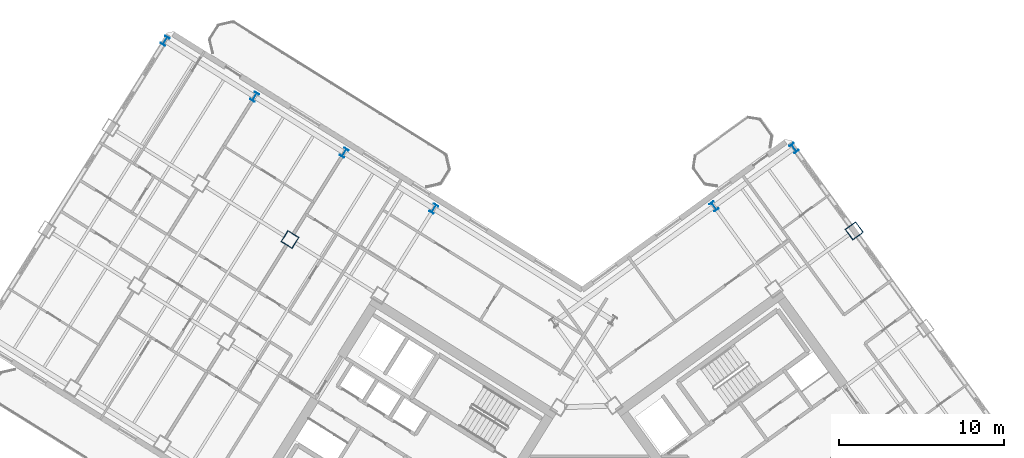
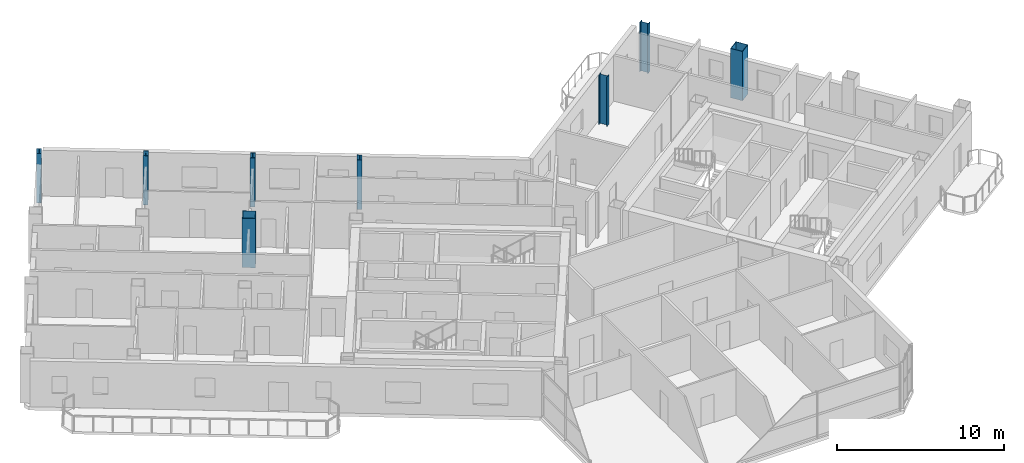
# One storey, part 3 of 20: 8 columns.
"""IFC4 building model written with IfcOpenShell, lengths in metres."""

from ifc_helpers import new_model, si_unit, direction, frame, origin, origin_2d, place, context, subcontext, project, spatial, hollow_rectangle, i_section, extrude, source, transform, mapped, material, material_profile, profile_set, type_object, element, save


model = new_model("IFC4")

# Units and contexts
model_context = context("Model", 3, precision=1e-05, world=origin(), true_north=direction((0.0, 1.0)))
body_context = subcontext(model_context, "Body", "Model", "MODEL_VIEW")
ifc_project = project(units=[si_unit("LENGTHUNIT", "METRE"), si_unit("AREAUNIT", "SQUARE_METRE"), si_unit("VOLUMEUNIT", "CUBIC_METRE"), si_unit("PLANEANGLEUNIT", "RADIAN"), si_unit("MASSUNIT", "GRAM", prefix="KILO")], contexts=[model_context])

# Site, building, storey
site_placement = place(None, origin())
site = spatial("IfcSite", under=ifc_project, at=site_placement, CompositionType="ELEMENT")
building_placement = place(site_placement, origin())
building = spatial("IfcBuilding", under=site, at=building_placement, Name="Tlacorven Tower", CompositionType="ELEMENT")
storey_placement = place(building_placement, frame((0.0, 0.0, 187.800048828125)))
storey = spatial("IfcBuildingStorey", under=building, at=storey_placement, Name="L47", CompositionType="ELEMENT", Elevation=187.800048828125)

# Columns
ifc_material = material(Name="Steel S460M", Category="steel")
ifc_material_profile_1 = material_profile(ifc_material, i_section(OverallWidth=0.300048828125, OverallDepth=0.550048828125, WebThickness=0.014892578125, FlangeThickness=0.029052734375, at=origin_2d()), Name="HEB 550")
ifc_profile_set_1 = profile_set([ifc_material_profile_1], Name="Steel S460M")
column_type_1 = type_object("IfcColumnType", Name="COL-TWR-P2", PredefinedType="COLUMN", material=ifc_profile_set_1)
shared_shape_1 = source(origin(), body_context, "Body", "SweptSolid", [
    extrude(i_section(OverallWidth=0.300048828125, OverallDepth=0.550048828125, WebThickness=0.014892578125, FlangeThickness=0.029052734375, at=origin_2d()), origin(), (0.0, 0.0, 1.0), 3.599853515625),
])
for number, where, z_axis, x_axis, name in (
    (1, (33.21337890625, 36.50927734375, 0.0), (0.0, 0.0, 1.0), (-0.848048096156, 0.529919264233, 0.0), "L47 column COL-L47-W3-1"),
    (2, (27.785888671875, 39.900634765625, 0.0), (0.0, 0.0, 1.0), (-0.848048096156, 0.529919264233, 0.0), "L47 column COL-L47-W4-1"),
    (3, (22.3583984375, 43.292236328125, 0.0), (0.0, 0.0, 1.0), (-0.848048096156, 0.529919264233, 0.0), "L47 column COL-L47-W5-1"),
    (4, (16.930908203125, 46.68359375, 0.0), (0.0, 0.0, 1.0), (-0.848048096156, 0.529919264233, 0.0), "L47 column COL-L47-W6-1"),
    (5, (50.187744140625, 36.654296875, 0.0), (0.0, 0.0, 1.0), (0.809016994375, 0.587785252292, 0.0), "L47 column COL-L47-E3-4"),
    (6, (55.041748046875, 40.18115234375, 0.0), (0.0, 0.0, 1.0), (0.809016994375, 0.587785252292, 0.0), "L47 column COL-L47-E4-4"),
):
    element("IfcColumn", number, at=place(storey_placement, frame(where, z_axis=z_axis, x_axis=x_axis)), inside=storey, type_object=column_type_1, Name=name, PredefinedType="COLUMN", context=body_context, shape_type="MappedRepresentation", body=[
        mapped(shared_shape_1, transform((0.0, 0.0, 0.0), scale=1.0)),
    ])
ifc_material_profile_2 = material_profile(ifc_material, hollow_rectangle(XDim=0.800048828125, YDim=0.800048828125, WallThickness=0.031982421875, at=origin_2d()), Name="BOX 800X800X32")
ifc_profile_set_2 = profile_set([ifc_material_profile_2], Name="Steel S460M")
column_type_2 = type_object("IfcColumnType", Name="COL-TWR-S3", PredefinedType="COLUMN", material=ifc_profile_set_2)
shared_shape_2 = source(origin(), body_context, "Body", "SweptSolid", [
    extrude(hollow_rectangle(XDim=0.800048828125, YDim=0.800048828125, WallThickness=0.031982421875, at=origin_2d()), origin(), (0.0, 0.0, 1.0), 3.599853515625),
])
for number, where, z_axis, x_axis, name in (
    (7, (24.50048828125, 34.642822265625, 0.0), (0.0, 0.0, 1.0), (-0.848048096156, 0.529919264233, 0.0), "L47 column COL-L47-W4-2"),
    (8, (58.68603515625, 35.165283203125, 0.0), (0.0, 0.0, 1.0), (0.809016994375, 0.587785252292, 0.0), "L47 column COL-L47-E4-3"),
):
    element("IfcColumn", number, at=place(storey_placement, frame(where, z_axis=z_axis, x_axis=x_axis)), inside=storey, type_object=column_type_2, Name=name, PredefinedType="COLUMN", context=body_context, shape_type="MappedRepresentation", body=[
        mapped(shared_shape_2, transform((0.0, 0.0, 0.0), scale=1.0)),
    ])

save(model, "model.ifc")
